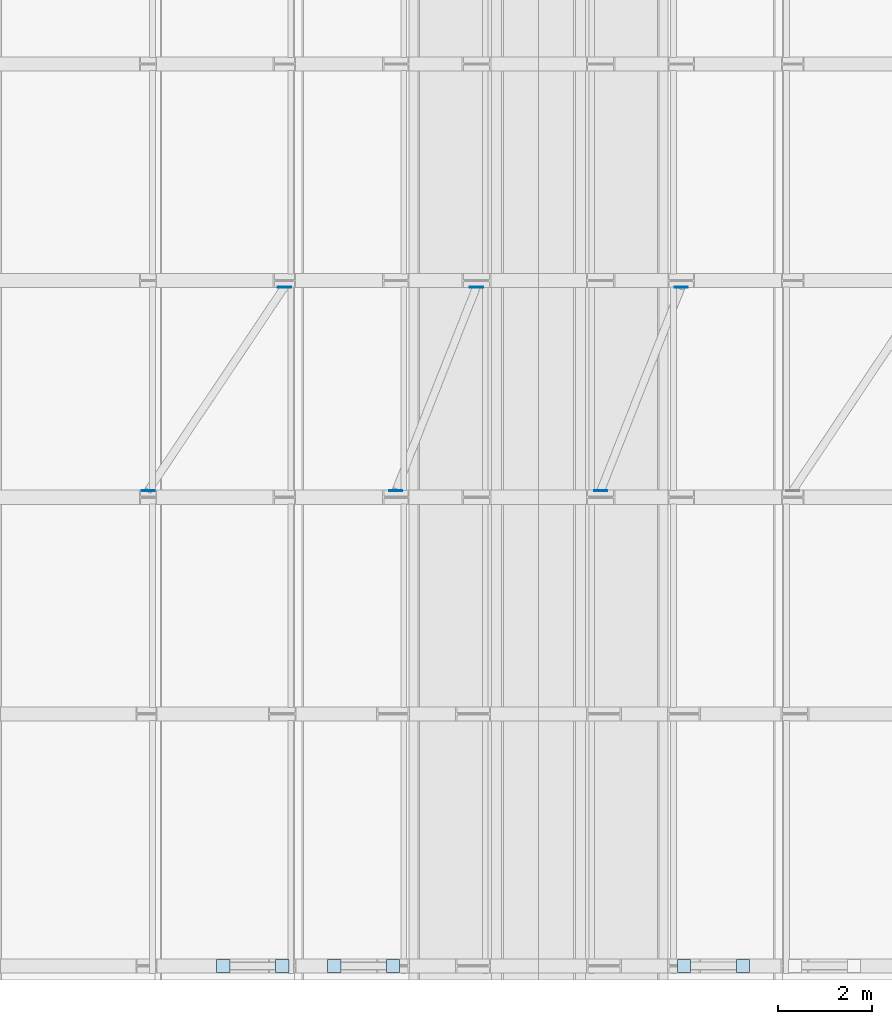
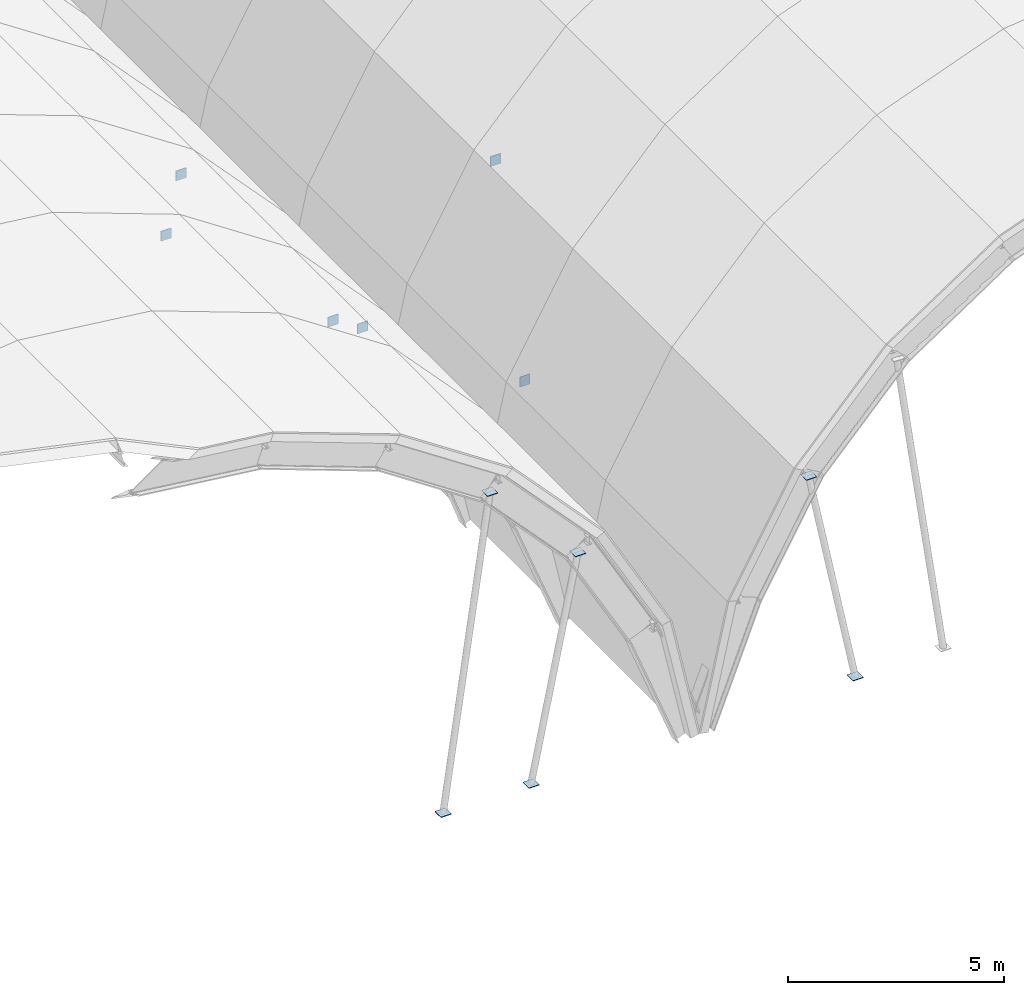
# One storey, part 28 of 47: 12 plates.
"""IFC4 building model written with IfcOpenShell, lengths in metres."""

from ifc_helpers import new_model, si_unit, direction, frame, origin, origin_2d, place, context, subcontext, project, spatial, rectangle, extrude, material, layer, layer_set, type_object, element, save


model = new_model("IFC4")

# Units and contexts
model_context = context("Model", 3, precision=1e-05, world=origin(), true_north=direction((0.0, 1.0)))
body_context = subcontext(model_context, "Body", "Model", "MODEL_VIEW")
ifc_project = project(units=[si_unit("LENGTHUNIT", "METRE"), si_unit("AREAUNIT", "SQUARE_METRE"), si_unit("VOLUMEUNIT", "CUBIC_METRE"), si_unit("PLANEANGLEUNIT", "RADIAN"), si_unit("MASSUNIT", "GRAM", prefix="KILO")], contexts=[model_context])

# Site, building, storey
site_placement = place(None, origin())
site = spatial("IfcSite", under=ifc_project, at=site_placement, CompositionType="ELEMENT")
building_placement = place(site_placement, origin())
building = spatial("IfcBuilding", under=site, at=building_placement, Name="Muzn Square Opera House", CompositionType="ELEMENT")
storey_placement = place(building_placement, frame((0.0, 0.0, 31.0)))
storey = spatial("IfcBuildingStorey", under=building, at=storey_placement, Name="RF-1", CompositionType="ELEMENT", Elevation=31.0)

# Plates
ifc_material = material(Name="Steel S355", Category="steel")
ifc_layer = layer(ifc_material, 0.01806640625, Name="Steel S355", Category="steel")
ifc_layer_set = layer_set([ifc_layer], Name="Steel S355")
plate_type = type_object("IfcPlateType", Name="Brace Cap Plate 18mm 280x280", PredefinedType="USERDEFINED", material=ifc_layer_set)
for number, where, z_axis, x_axis, name in (
    (1, (96.305908203125, 21.25, -12.589111328125), (0.0, 0.0, 1.0), (1.0, 0.0, 0.0), "Exposed Gable Truss Gusset V2-W03-A"),
    (2, (97.555908203125, 21.25, -3.939697265625), (0.0, 0.0, 1.0), (1.0, 0.0, 0.0), "Exposed Gable Truss Gusset V2-W03-B"),
    (3, (98.66015625, 21.25, -12.589111328125), (0.0, 0.0, 1.0), (1.0, 0.0, 0.0), "Exposed Gable Truss Gusset V2-W04-A"),
    (4, (99.91015625, 21.25, -6.470703125), (0.0, 0.0, 1.0), (1.0, 0.0, 0.0), "Exposed Gable Truss Gusset V2-W04-B"),
):
    element("IfcPlate", number, at=place(storey_placement, frame(where, z_axis=z_axis, x_axis=x_axis)), inside=storey, type_object=plate_type, Name=name, ObjectType="GUSSET PLATE", PredefinedType="USERDEFINED", context=body_context, shape_type="SweptSolid", body=[
        extrude(rectangle(XDim=0.280029296875, YDim=0.280029296875, at=origin_2d()), origin(), (0.0, 0.0, 1.0), 0.01806640625),
    ])
for number, where, z_axis, x_axis, name in (
    (5, (94.71142578125, 31.340087890625, -1.90966796875), (0.0, 0.0, 1.0), (1.0, 0.0, 0.0), "Vault Wind Brace End Cap Plate V2-02-14-A"),
    (6, (97.6044921875, 35.659912109375, -3.83349609375), (0.0, 0.0, 1.0), (1.0, 0.0, 0.0), "Vault Wind Brace End Cap Plate V2-02-14-B"),
    (7, (99.970703125, 31.340087890625, -6.37744140625), (0.0, 0.0, 1.0), (1.0, 0.0, 0.0), "Vault Wind Brace End Cap Plate V2-02-18-A"),
    (8, (101.680419921875, 35.659912109375, -9.40185546875), (0.0, 0.0, 1.0), (1.0, 0.0, 0.0), "Vault Wind Brace End Cap Plate V2-02-18-B"),
):
    element("IfcPlate", number, at=place(storey_placement, frame(where, z_axis=z_axis, x_axis=x_axis)), inside=storey, type_object=plate_type, Name=name, ObjectType="GUSSET PLATE", PredefinedType="USERDEFINED", context=body_context, shape_type="SweptSolid", body=[
        extrude(rectangle(XDim=0.280029296875, YDim=0.01806640625, at=origin_2d()), origin(), (0.0, 0.0, 1.0), 0.280029296875),
    ])
for number, where, z_axis, x_axis, name in (
    (9, (107.33984375, 21.25, -12.589111328125), (0.0, 0.0, 1.0), (1.0, 0.0, 0.0), "Exposed Gable Truss Gusset V3-W01-A"),
    (10, (106.08984375, 21.25, -6.470703125), (0.0, 0.0, 1.0), (1.0, 0.0, 0.0), "Exposed Gable Truss Gusset V3-W01-B"),
):
    element("IfcPlate", number, at=place(storey_placement, frame(where, z_axis=z_axis, x_axis=x_axis)), inside=storey, type_object=plate_type, Name=name, ObjectType="GUSSET PLATE", PredefinedType="USERDEFINED", context=body_context, shape_type="SweptSolid", body=[
        extrude(rectangle(XDim=0.280029296875, YDim=0.280029296875, at=origin_2d()), origin(), (0.0, 0.0, 1.0), 0.01806640625),
    ])
for number, where, z_axis, x_axis, name in (
    (11, (104.319580078125, 31.340087890625, -9.40185546875), (0.0, 0.0, 1.0), (1.0, 0.0, 0.0), "Vault Wind Brace End Cap Plate V3-02-04-A"),
    (12, (106.029296875, 35.659912109375, -6.37744140625), (0.0, 0.0, 1.0), (1.0, 0.0, 0.0), "Vault Wind Brace End Cap Plate V3-02-04-B"),
):
    element("IfcPlate", number, at=place(storey_placement, frame(where, z_axis=z_axis, x_axis=x_axis)), inside=storey, type_object=plate_type, Name=name, ObjectType="GUSSET PLATE", PredefinedType="USERDEFINED", context=body_context, shape_type="SweptSolid", body=[
        extrude(rectangle(XDim=0.280029296875, YDim=0.01806640625, at=origin_2d()), origin(), (0.0, 0.0, 1.0), 0.280029296875),
    ])

save(model, "model.ifc")
